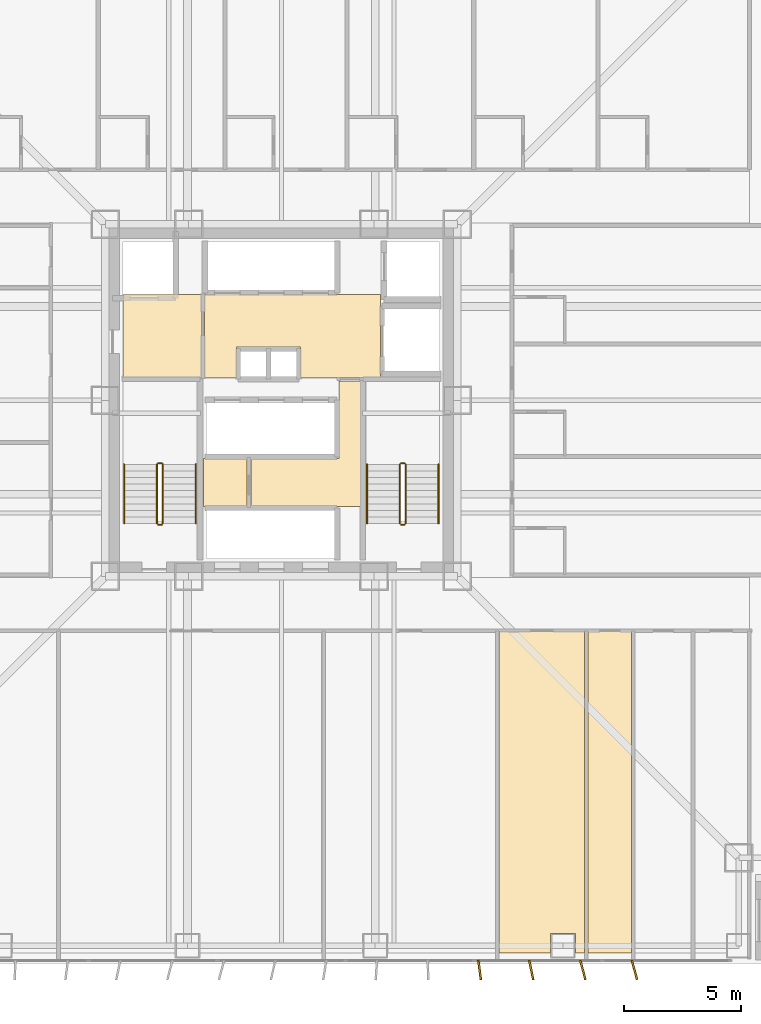
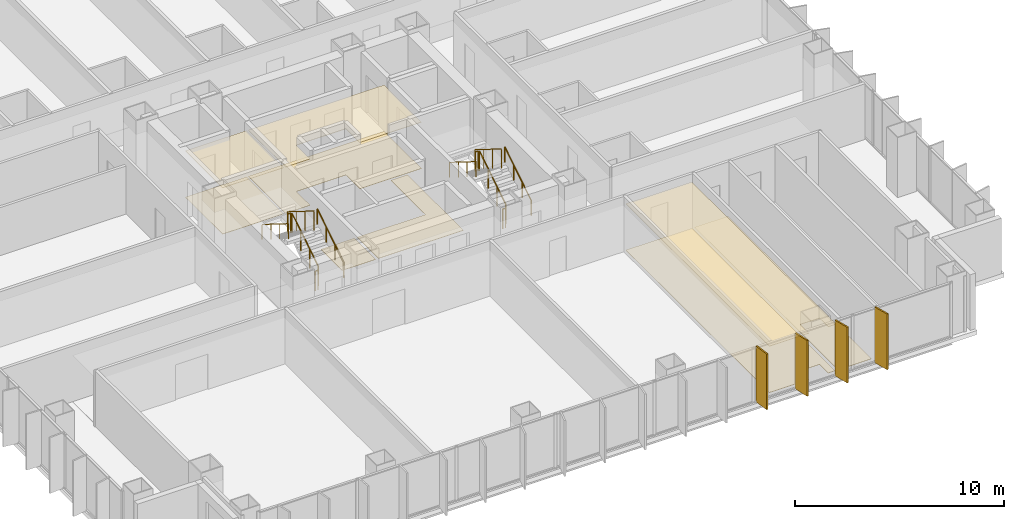
# One storey, part 15 of 17: 12 railings, 9 coverings, 4 shading devices.
"""IFC4 building model written with IfcOpenShell, lengths in metres."""

from ifc_helpers import new_model, si_unit, direction, frame, origin, origin_2d, place, context, subcontext, project, spatial, polyline, rectangle, circle, outline, extrude, material, layer, layer_set, type_object, element, save


model = new_model("IFC4")

# Units and contexts
model_context = context("Model", 3, precision=1e-05, world=origin(), true_north=direction((0.0, 1.0)))
body_context = subcontext(model_context, "Body", "Model", "MODEL_VIEW")
ifc_project = project(units=[si_unit("LENGTHUNIT", "METRE"), si_unit("AREAUNIT", "SQUARE_METRE"), si_unit("VOLUMEUNIT", "CUBIC_METRE"), si_unit("PLANEANGLEUNIT", "RADIAN"), si_unit("MASSUNIT", "GRAM", prefix="KILO")], contexts=[model_context])

# Site, building, storey
site_placement = place(None, origin())
site = spatial("IfcSite", under=ifc_project, at=site_placement, CompositionType="ELEMENT")
building_placement = place(site_placement, origin())
building = spatial("IfcBuilding", under=site, at=building_placement, Name="Trevonay Congress Spire", CompositionType="ELEMENT")
storey_placement = place(building_placement, frame((0.0, 0.0, 69.0)))
storey = spatial("IfcBuildingStorey", under=building, at=storey_placement, Name="L17", CompositionType="ELEMENT", Elevation=69.0)

# Coverings
ifc_material_1 = material(Name="Acoustic Mineral Fibre Board", Category="gypsum")
ifc_layer_1 = layer(ifc_material_1, 0.02490234375, Name="Acoustic Mineral Fibre Board")
ifc_layer_set_1 = layer_set([ifc_layer_1], Name="Acoustic Mineral Fibre Board")
covering_type_1 = type_object("IfcCoveringType", Name="COV-CEIL-ACOUSTIC", PredefinedType="CEILING", material=ifc_layer_set_1)
covering_1_placement = place(storey_placement, frame((0.0, 0.0, 2.699951171875)))
element("IfcCovering", 1, at=covering_1_placement, inside=storey, type_object=covering_type_1, Name="L17 Firefighting Lift Lobby West acoustic suspended ceiling", PredefinedType="CEILING", context=body_context, shape_type="SweptSolid", body=[
    extrude(outline(polyline([(-6.75, 0.9599609375), (-3.3798828125, 0.9599609375), (-3.3798828125, 4.52001953125), (-6.75, 4.52001953125), (-6.75, 0.9599609375)])), origin(), (0.0, 0.0, 1.0), 0.025146484375),
])
covering_2_placement = place(storey_placement, frame((0.0, 0.0, 2.699951171875)))
element("IfcCovering", 2, at=covering_2_placement, inside=storey, type_object=covering_type_1, Name="L17 Central and High-Rise Passenger Lift Lobby acoustic suspended ceiling", PredefinedType="CEILING", context=body_context, shape_type="SweptSolid", body=[
    extrude(outline(polyline([(-3.280029296875, 0.949951171875), (-1.919921875, 0.949951171875), (-1.919921875, 2.280029296875), (0.820068359375, 2.280029296875), (0.820068359375, 0.949951171875), (4.219970703125, 0.949951171875), (4.219970703125, 4.52001953125), (-3.280029296875, 4.52001953125), (-3.280029296875, 0.949951171875)])), origin(), (0.0, 0.0, 1.0), 0.025146484375),
])
covering_3_placement = place(storey_placement, frame((0.0, 0.0, 2.699951171875)))
element("IfcCovering", 3, at=covering_3_placement, inside=storey, type_object=covering_type_1, Name="L17 Sommelier Pantry acoustic suspended ceiling", PredefinedType="CEILING", context=body_context, shape_type="SweptSolid", body=[
    extrude(outline(polyline([(9.280029296875, -23.550048828125), (9.280029296875, -9.830078125), (12.919921875, -9.830078125), (12.919921875, -23.550048828125), (12.534912109375, -23.550048828125), (12.534912109375, -22.715087890625), (11.465087890625, -22.715087890625), (11.465087890625, -23.550048828125), (9.280029296875, -23.550048828125)])), origin(), (0.0, 0.0, 1.0), 0.025146484375),
])
ifc_material_2 = material(Name="Polished Granite Floor Tile", Category="masonry")
ifc_layer_2 = layer(ifc_material_2, 0.02001953125, Name="Polished Granite Floor Tile")
ifc_layer_set_2 = layer_set([ifc_layer_2], Name="Polished Granite Floor Tile")
covering_type_2 = type_object("IfcCoveringType", Name="COV-FLOOR-STONE", PredefinedType="FLOORING", material=ifc_layer_set_2)
covering_4_placement = place(storey_placement, origin())
element("IfcCovering", 4, at=covering_4_placement, inside=storey, type_object=covering_type_2, Name="L17 Firefighting Lift Lobby West floor finish", PredefinedType="FLOORING", context=body_context, shape_type="SweptSolid", body=[
    extrude(outline(polyline([(-6.75, 0.9599609375), (-3.3798828125, 0.9599609375), (-3.3798828125, 4.52001953125), (-6.75, 4.52001953125), (-6.75, 0.9599609375)])), origin(), (0.0, 0.0, 1.0), 0.02001953125),
])
covering_5_placement = place(storey_placement, origin())
element("IfcCovering", 5, at=covering_5_placement, inside=storey, type_object=covering_type_2, Name="L17 Central and High-Rise Passenger Lift Lobby floor finish", PredefinedType="FLOORING", context=body_context, shape_type="SweptSolid", body=[
    extrude(outline(polyline([(-3.280029296875, 0.949951171875), (-1.919921875, 0.949951171875), (-1.919921875, 2.280029296875), (0.820068359375, 2.280029296875), (0.820068359375, 0.949951171875), (4.219970703125, 0.949951171875), (4.219970703125, 4.52001953125), (-3.280029296875, 4.52001953125), (-3.280029296875, 0.949951171875)])), origin(), (0.0, 0.0, 1.0), 0.02001953125),
])
covering_6_placement = place(storey_placement, origin())
element("IfcCovering", 6, at=covering_6_placement, inside=storey, type_object=covering_type_2, Name="L17 Smoke Control Damper Room floor finish", PredefinedType="FLOORING", context=body_context, shape_type="SweptSolid", body=[
    extrude(outline(polyline([(-1.300048828125, -4.52001953125), (3.3798828125, -4.52001953125), (3.3798828125, 0.820068359375), (2.4599609375, 0.820068359375), (2.4599609375, -2.47998046875), (-1.300048828125, -2.47998046875), (-1.300048828125, -4.52001953125)])), origin(), (0.0, 0.0, 1.0), 0.02001953125),
])
covering_7_placement = place(storey_placement, origin())
element("IfcCovering", 7, at=covering_7_placement, inside=storey, type_object=covering_type_2, Name="L17 Fire Hose and Valve Room floor finish", PredefinedType="FLOORING", context=body_context, shape_type="SweptSolid", body=[
    extrude(outline(polyline([(-3.320068359375, -4.52001953125), (-1.4599609375, -4.52001953125), (-1.4599609375, -2.47998046875), (-3.320068359375, -2.47998046875), (-3.320068359375, -4.52001953125)])), origin(), (0.0, 0.0, 1.0), 0.02001953125),
])
covering_8_placement = place(storey_placement, origin())
element("IfcCovering", 8, at=covering_8_placement, inside=storey, type_object=covering_type_2, Name="L17 Sommelier Pantry floor finish", PredefinedType="FLOORING", context=body_context, shape_type="SweptSolid", body=[
    extrude(outline(polyline([(9.280029296875, -23.550048828125), (9.280029296875, -9.830078125), (12.919921875, -9.830078125), (12.919921875, -23.550048828125), (12.534912109375, -23.550048828125), (12.534912109375, -22.715087890625), (11.465087890625, -22.715087890625), (11.465087890625, -23.550048828125), (9.280029296875, -23.550048828125)])), origin(), (0.0, 0.0, 1.0), 0.02001953125),
])
covering_9_placement = place(storey_placement, origin())
element("IfcCovering", 9, at=covering_9_placement, inside=storey, type_object=covering_type_2, Name="L17 Accessible WC floor finish", PredefinedType="FLOORING", context=body_context, shape_type="SweptSolid", body=[
    extrude(outline(polyline([(13.080078125, -23.550048828125), (14.919921875, -23.550048828125), (14.919921875, -9.830078125), (13.080078125, -9.830078125), (13.080078125, -23.550048828125)])), origin(), (0.0, 0.0, 1.0), 0.02001953125),
])

# Railings
ifc_material_3 = material(Name="Pale Anodised Aluminium EN AW-6063-T6", Category="aluminium")
railing_type_1 = type_object("IfcRailingType", Name="RAL-STAIR-GUARD-110", PredefinedType="GUARDRAIL", material=ifc_material_3)
railing_1_placement = place(storey_placement, frame((-5.050048828125, -5.25, 0.175048828125)))
element("IfcRailing", 10, at=railing_1_placement, inside=storey, type_object=railing_type_1, Name="L17 ST-1 stair guard 1", PredefinedType="GUARDRAIL", context=body_context, shape_type="SweptSolid", body=[
    extrude(circle(Radius=0.02392578125, at=origin_2d()), frame((0.0, 0.0, 1.1259765625), z_axis=(0.0, 0.848007534815, 0.529984170421), x_axis=(-1.0, 0.0, 0.0)), (0.0, 0.0, 1.0), 2.9716796875),
    extrude(circle(Radius=0.02099609375, at=origin_2d()), origin(), (0.0, 0.0, 1.0), 1.101806640625),
    extrude(circle(Radius=0.02099609375, at=origin_2d()), frame((0.0, 0.840087890625, 0.52490234375)), (0.0, 0.0, 1.0), 1.101806640625),
    extrude(circle(Radius=0.02099609375, at=origin_2d()), frame((0.0, 1.679931640625, 1.050048828125)), (0.0, 0.0, 1.0), 1.101806640625),
    extrude(circle(Radius=0.02099609375, at=origin_2d()), frame((0.0, 2.52001953125, 1.574951171875)), (0.0, 0.0, 1.0), 1.101806640625),
])
railing_2_placement = place(storey_placement, frame((-5.10009765625, -2.679931640625, 1.75)))
element("IfcRailing", 11, at=railing_2_placement, inside=storey, type_object=railing_type_1, Name="L17 ST-1 stair guard 2", PredefinedType="GUARDRAIL", context=body_context, shape_type="SweptSolid", body=[
    extrude(circle(Radius=0.02392578125, at=origin_2d()), frame((0.0, 0.0, 1.1259765625), z_axis=(-1.0, 0.0, 0.0), x_axis=(0.0, -1.0, 0.0)), (0.0, 0.0, 1.0), 0.14990234375),
    extrude(circle(Radius=0.02099609375, at=origin_2d()), origin(), (0.0, 0.0, 1.0), 1.101806640625),
    extrude(circle(Radius=0.02099609375, at=origin_2d()), frame((-0.14990234375, 0.0, 0.0)), (0.0, 0.0, 1.0), 1.101806640625),
])
railing_3_placement = place(storey_placement, frame((-5.300048828125, -2.72998046875, 1.925048828125)))
element("IfcRailing", 12, at=railing_3_placement, inside=storey, type_object=railing_type_1, Name="L17 ST-1 stair guard 3", PredefinedType="GUARDRAIL", context=body_context, shape_type="SweptSolid", body=[
    extrude(circle(Radius=0.02392578125, at=origin_2d()), frame((0.0, 0.0, 1.1259765625), z_axis=(0.0, -0.848007534815, 0.529984170421), x_axis=(1.0, 0.0, 0.0)), (0.0, 0.0, 1.0), 2.9716796875),
    extrude(circle(Radius=0.02099609375, at=origin_2d()), origin(), (0.0, 0.0, 1.0), 1.101806640625),
    extrude(circle(Radius=0.02099609375, at=origin_2d()), frame((0.0, -0.840087890625, 0.52490234375)), (0.0, 0.0, 1.0), 1.101806640625),
    extrude(circle(Radius=0.02099609375, at=origin_2d()), frame((0.0, -1.679931640625, 1.050048828125)), (0.0, 0.0, 1.0), 1.101806640625),
    extrude(circle(Radius=0.02099609375, at=origin_2d()), frame((0.0, -2.52001953125, 1.574951171875)), (0.0, 0.0, 1.0), 1.101806640625),
])
railing_4_placement = place(storey_placement, frame((-5.10009765625, -5.300048828125, 0.0)))
element("IfcRailing", 13, at=railing_4_placement, inside=storey, type_object=railing_type_1, Name="L17 ST-1 stair guard 4", PredefinedType="GUARDRAIL", context=body_context, shape_type="SweptSolid", body=[
    extrude(circle(Radius=0.02392578125, at=origin_2d()), frame((0.0, 0.0, 1.1259765625), z_axis=(-1.0, 0.0, 0.0), x_axis=(0.0, -1.0, 0.0)), (0.0, 0.0, 1.0), 0.14990234375),
    extrude(circle(Radius=0.02099609375, at=origin_2d()), origin(), (0.0, 0.0, 1.0), 1.101806640625),
    extrude(circle(Radius=0.02099609375, at=origin_2d()), frame((-0.14990234375, 0.0, 0.0)), (0.0, 0.0, 1.0), 1.101806640625),
])
railing_5_placement = place(storey_placement, frame((5.300048828125, -5.25, 0.175048828125)))
element("IfcRailing", 14, at=railing_5_placement, inside=storey, type_object=railing_type_1, Name="L17 ST-2 stair guard 1", PredefinedType="GUARDRAIL", context=body_context, shape_type="SweptSolid", body=[
    extrude(circle(Radius=0.02392578125, at=origin_2d()), frame((0.0, 0.0, 1.1259765625), z_axis=(0.0, 0.848007534815, 0.529984170421), x_axis=(-1.0, 0.0, 0.0)), (0.0, 0.0, 1.0), 2.9716796875),
    extrude(circle(Radius=0.02099609375, at=origin_2d()), origin(), (0.0, 0.0, 1.0), 1.101806640625),
    extrude(circle(Radius=0.02099609375, at=origin_2d()), frame((0.0, 0.840087890625, 0.52490234375)), (0.0, 0.0, 1.0), 1.101806640625),
    extrude(circle(Radius=0.02099609375, at=origin_2d()), frame((0.0, 1.679931640625, 1.050048828125)), (0.0, 0.0, 1.0), 1.101806640625),
    extrude(circle(Radius=0.02099609375, at=origin_2d()), frame((0.0, 2.52001953125, 1.574951171875)), (0.0, 0.0, 1.0), 1.101806640625),
])
railing_6_placement = place(storey_placement, frame((5.25, -2.679931640625, 1.75)))
element("IfcRailing", 15, at=railing_6_placement, inside=storey, type_object=railing_type_1, Name="L17 ST-2 stair guard 2", PredefinedType="GUARDRAIL", context=body_context, shape_type="SweptSolid", body=[
    extrude(circle(Radius=0.02392578125, at=origin_2d()), frame((0.0, 0.0, 1.1259765625), z_axis=(-1.0, 0.0, 0.0), x_axis=(0.0, -1.0, 0.0)), (0.0, 0.0, 1.0), 0.14990234375),
    extrude(circle(Radius=0.02099609375, at=origin_2d()), origin(), (0.0, 0.0, 1.0), 1.101806640625),
    extrude(circle(Radius=0.02099609375, at=origin_2d()), frame((-0.14990234375, 0.0, 0.0)), (0.0, 0.0, 1.0), 1.101806640625),
])
railing_7_placement = place(storey_placement, frame((5.050048828125, -2.72998046875, 1.925048828125)))
element("IfcRailing", 16, at=railing_7_placement, inside=storey, type_object=railing_type_1, Name="L17 ST-2 stair guard 3", PredefinedType="GUARDRAIL", context=body_context, shape_type="SweptSolid", body=[
    extrude(circle(Radius=0.02392578125, at=origin_2d()), frame((0.0, 0.0, 1.1259765625), z_axis=(0.0, -0.848007534815, 0.529984170421), x_axis=(1.0, 0.0, 0.0)), (0.0, 0.0, 1.0), 2.9716796875),
    extrude(circle(Radius=0.02099609375, at=origin_2d()), origin(), (0.0, 0.0, 1.0), 1.101806640625),
    extrude(circle(Radius=0.02099609375, at=origin_2d()), frame((0.0, -0.840087890625, 0.52490234375)), (0.0, 0.0, 1.0), 1.101806640625),
    extrude(circle(Radius=0.02099609375, at=origin_2d()), frame((0.0, -1.679931640625, 1.050048828125)), (0.0, 0.0, 1.0), 1.101806640625),
    extrude(circle(Radius=0.02099609375, at=origin_2d()), frame((0.0, -2.52001953125, 1.574951171875)), (0.0, 0.0, 1.0), 1.101806640625),
])
railing_8_placement = place(storey_placement, frame((5.25, -5.300048828125, 0.0)))
element("IfcRailing", 17, at=railing_8_placement, inside=storey, type_object=railing_type_1, Name="L17 ST-2 stair guard 4", PredefinedType="GUARDRAIL", context=body_context, shape_type="SweptSolid", body=[
    extrude(circle(Radius=0.02392578125, at=origin_2d()), frame((0.0, 0.0, 1.1259765625), z_axis=(-1.0, 0.0, 0.0), x_axis=(0.0, -1.0, 0.0)), (0.0, 0.0, 1.0), 0.14990234375),
    extrude(circle(Radius=0.02099609375, at=origin_2d()), origin(), (0.0, 0.0, 1.0), 1.101806640625),
    extrude(circle(Radius=0.02099609375, at=origin_2d()), frame((-0.14990234375, 0.0, 0.0)), (0.0, 0.0, 1.0), 1.101806640625),
])
railing_type_2 = type_object("IfcRailingType", Name="RAL-STAIR-HANDRAIL", PredefinedType="HANDRAIL", material=ifc_material_3)
railing_9_placement = place(storey_placement, frame((-3.64990234375, -5.25, 0.175048828125)))
element("IfcRailing", 18, at=railing_9_placement, inside=storey, type_object=railing_type_2, Name="L17 ST-1 stair handrail 1", PredefinedType="HANDRAIL", context=body_context, shape_type="SweptSolid", body=[
    extrude(circle(Radius=0.02392578125, at=origin_2d()), frame((0.0, 0.0, 0.8759765625), z_axis=(0.0, 0.848007534815, 0.529984170421), x_axis=(-1.0, 0.0, 0.0)), (0.0, 0.0, 1.0), 2.9716796875),
    extrude(circle(Radius=0.02099609375, at=origin_2d()), origin(), (0.0, 0.0, 1.0), 0.851806640625),
    extrude(circle(Radius=0.02099609375, at=origin_2d()), frame((0.0, 0.840087890625, 0.52490234375)), (0.0, 0.0, 1.0), 0.851806640625),
    extrude(circle(Radius=0.02099609375, at=origin_2d()), frame((0.0, 1.679931640625, 1.050048828125)), (0.0, 0.0, 1.0), 0.851806640625),
    extrude(circle(Radius=0.02099609375, at=origin_2d()), frame((0.0, 2.52001953125, 1.574951171875)), (0.0, 0.0, 1.0), 0.851806640625),
])
railing_10_placement = place(storey_placement, frame((-6.699951171875, -2.72998046875, 1.925048828125)))
element("IfcRailing", 19, at=railing_10_placement, inside=storey, type_object=railing_type_2, Name="L17 ST-1 stair handrail 2", PredefinedType="HANDRAIL", context=body_context, shape_type="SweptSolid", body=[
    extrude(circle(Radius=0.02392578125, at=origin_2d()), frame((0.0, 0.0, 0.8759765625), z_axis=(0.0, -0.848007534815, 0.529984170421), x_axis=(1.0, 0.0, 0.0)), (0.0, 0.0, 1.0), 2.9716796875),
    extrude(circle(Radius=0.02099609375, at=origin_2d()), origin(), (0.0, 0.0, 1.0), 0.851806640625),
    extrude(circle(Radius=0.02099609375, at=origin_2d()), frame((0.0, -0.840087890625, 0.52490234375)), (0.0, 0.0, 1.0), 0.851806640625),
    extrude(circle(Radius=0.02099609375, at=origin_2d()), frame((0.0, -1.679931640625, 1.050048828125)), (0.0, 0.0, 1.0), 0.851806640625),
    extrude(circle(Radius=0.02099609375, at=origin_2d()), frame((0.0, -2.52001953125, 1.574951171875)), (0.0, 0.0, 1.0), 0.851806640625),
])
railing_11_placement = place(storey_placement, frame((6.699951171875, -5.25, 0.175048828125)))
element("IfcRailing", 20, at=railing_11_placement, inside=storey, type_object=railing_type_2, Name="L17 ST-2 stair handrail 1", PredefinedType="HANDRAIL", context=body_context, shape_type="SweptSolid", body=[
    extrude(circle(Radius=0.02392578125, at=origin_2d()), frame((0.0, 0.0, 0.8759765625), z_axis=(0.0, 0.848007534815, 0.529984170421), x_axis=(-1.0, 0.0, 0.0)), (0.0, 0.0, 1.0), 2.9716796875),
    extrude(circle(Radius=0.02099609375, at=origin_2d()), origin(), (0.0, 0.0, 1.0), 0.851806640625),
    extrude(circle(Radius=0.02099609375, at=origin_2d()), frame((0.0, 0.840087890625, 0.52490234375)), (0.0, 0.0, 1.0), 0.851806640625),
    extrude(circle(Radius=0.02099609375, at=origin_2d()), frame((0.0, 1.679931640625, 1.050048828125)), (0.0, 0.0, 1.0), 0.851806640625),
    extrude(circle(Radius=0.02099609375, at=origin_2d()), frame((0.0, 2.52001953125, 1.574951171875)), (0.0, 0.0, 1.0), 0.851806640625),
])
railing_12_placement = place(storey_placement, frame((3.64990234375, -2.72998046875, 1.925048828125)))
element("IfcRailing", 21, at=railing_12_placement, inside=storey, type_object=railing_type_2, Name="L17 ST-2 stair handrail 2", PredefinedType="HANDRAIL", context=body_context, shape_type="SweptSolid", body=[
    extrude(circle(Radius=0.02392578125, at=origin_2d()), frame((0.0, 0.0, 0.8759765625), z_axis=(0.0, -0.848007534815, 0.529984170421), x_axis=(1.0, 0.0, 0.0)), (0.0, 0.0, 1.0), 2.9716796875),
    extrude(circle(Radius=0.02099609375, at=origin_2d()), origin(), (0.0, 0.0, 1.0), 0.851806640625),
    extrude(circle(Radius=0.02099609375, at=origin_2d()), frame((0.0, -0.840087890625, 0.52490234375)), (0.0, 0.0, 1.0), 0.851806640625),
    extrude(circle(Radius=0.02099609375, at=origin_2d()), frame((0.0, -1.679931640625, 1.050048828125)), (0.0, 0.0, 1.0), 0.851806640625),
    extrude(circle(Radius=0.02099609375, at=origin_2d()), frame((0.0, -2.52001953125, 1.574951171875)), (0.0, 0.0, 1.0), 0.851806640625),
])

# Shading devices
shading_device_type = type_object("IfcShadingDeviceType", Name="SHD-FIN-Z1-PALE-METAL", PredefinedType="USERDEFINED", material=ifc_material_3)
for number, where, z_axis, x_axis, name in (
    (22, (8.449951171875, -24.280029296875, 0.0), (0.0, 0.0, 1.0), (0.991444861374, 0.13052619222, 0.0), "L17 S vertical pale-metal solar fin 13"),
    (23, (10.64990234375, -24.280029296875, 0.0), (0.0, 0.0, 1.0), (0.978508985102, 0.206204185397, 0.0), "L17 S vertical pale-metal solar fin 14"),
    (24, (12.85009765625, -24.280029296875, 0.0), (0.0, 0.0, 1.0), (0.968191325187, 0.250211026602, 0.0), "L17 S vertical pale-metal solar fin 15"),
    (25, (15.050048828125, -24.280029296875, 0.0), (0.0, 0.0, 1.0), (0.966510581262, 0.256626764599, 0.0), "L17 S vertical pale-metal solar fin 16"),
):
    element("IfcShadingDevice", number, at=place(storey_placement, frame(where, z_axis=z_axis, x_axis=x_axis)), inside=storey, type_object=shading_device_type, Name=name, ObjectType="SOLAR FIN", PredefinedType="USERDEFINED", context=body_context, shape_type="SweptSolid", body=[
        extrude(rectangle(XDim=0.080078125, YDim=0.85009765625, at=origin_2d()), origin(), (0.0, 0.0, 1.0), 3.25),
    ])

save(model, "model.ifc")
